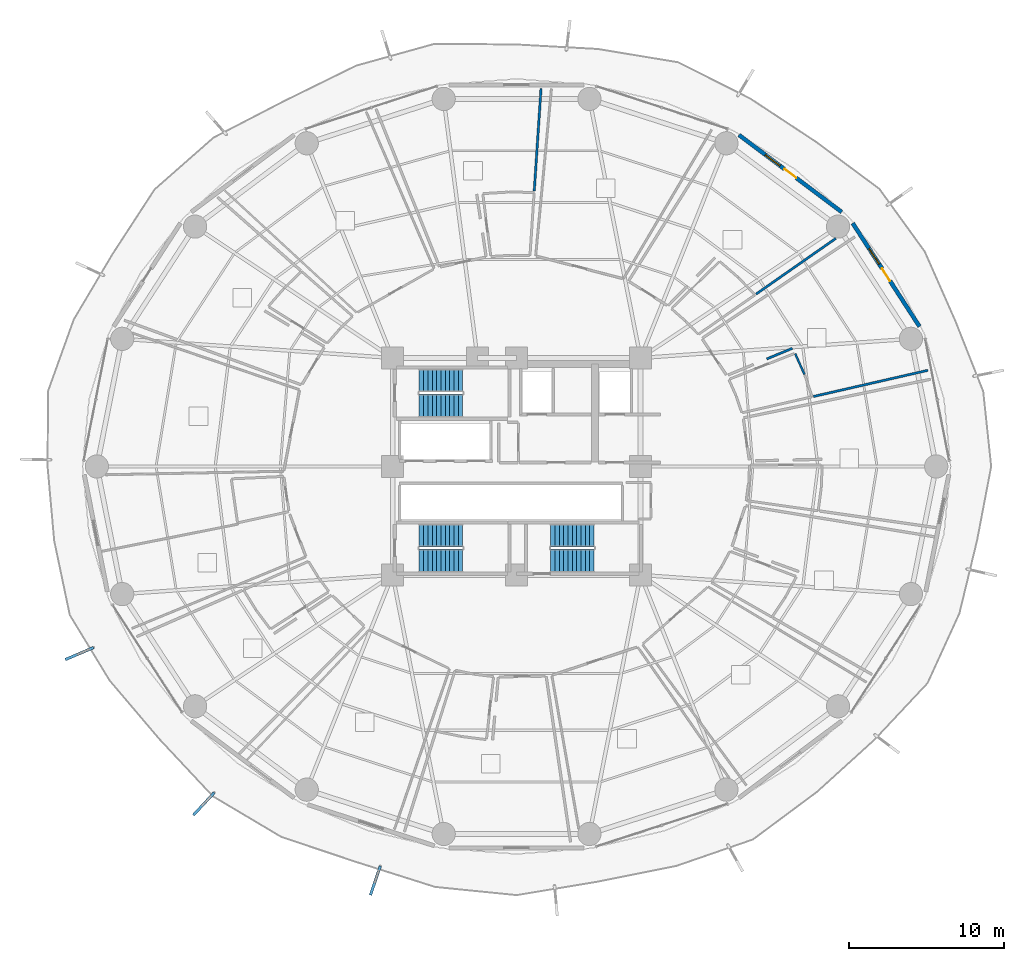
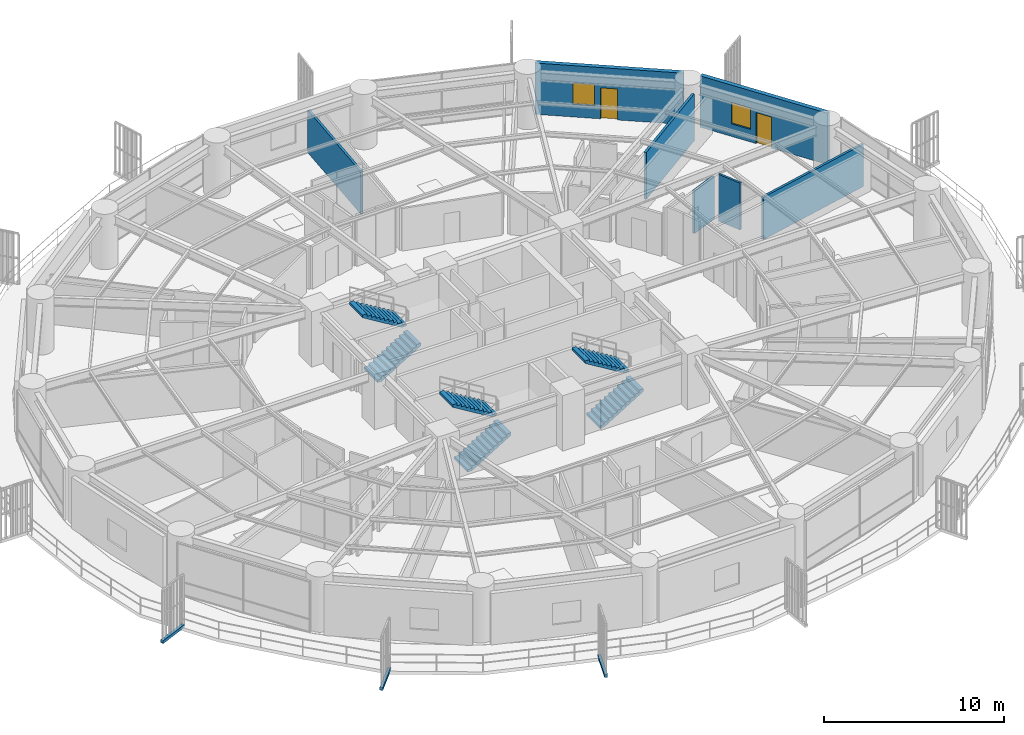
# One storey, part 28 of 34: 7 walls, 6 stair flights, 3 discrete accessories, 2 doors, 2 windows, 4 openings, 3 elements without a shape of their own.
"""IFC4 building model written with IfcOpenShell, lengths in metres."""

import ifcopenshell
import ifcopenshell.guid

model = None  # the IFC model being written
_history = None  # IfcOwnerHistory: only IFC2X3 demands one
_inside = {}  # id of a spatial element -> (the spatial element, [elements in it])
_under = {}  # id of a project, library or spatial element -> (it, [spatial elements below it])
_declared = {}  # id of a project -> (the project, [libraries it declares])
_typed = {}  # id of a type object -> (the type object, [elements of that type])
_made_of = {}  # id of a material, layer set ... -> (it, [elements and type objects made of it])


def new_model(schema):
    """Start an empty IFC model of exactly this schema.

    Asked for "IFC4X3", IfcOpenShell would pick the latest addendum, in which some entities
    have other attributes; the version numbers below select the first issue.
    IFC2X3 requires an IfcOwnerHistory on every rooted entity: one is made here for all.
    """
    global model, _history
    if schema == "IFC4X3":
        model = ifcopenshell.file(schema_version=(4, 3, 0, 0))
    else:
        model = ifcopenshell.file(schema=schema)
    _inside.clear()
    _under.clear()
    _declared.clear()
    _typed.clear()
    _made_of.clear()
    _history = None
    if model.schema == "IFC2X3":
        org = make("IfcOrganization", Name="unknown")
        user = make(
            "IfcPersonAndOrganization",
            ThePerson=make("IfcPerson", FamilyName="unknown"),
            TheOrganization=org,
        )
        app = make(
            "IfcApplication",
            ApplicationDeveloper=org,
            Version="unknown",
            ApplicationFullName="unknown",
            ApplicationIdentifier="unknown",
        )
        _history = make(
            "IfcOwnerHistory",
            OwningUser=user,
            OwningApplication=app,
            ChangeAction="ADDED",
            CreationDate=0,
        )
    return model


def make(cls, **values):
    """One entity of the class cls with the attributes given. An attribute that is None is left unset."""
    return model.create_entity(
        cls, **{name: value for name, value in values.items() if value is not None}
    )


def rooted(cls, **values):
    """An entity with a GlobalId (a new one), such as an element, a storey or a relation."""
    return make(cls, GlobalId=ifcopenshell.guid.new(), OwnerHistory=_history, **values)


def si_unit(unit_type, name, prefix=None):
    """IfcSIUnit, for example si_unit("LENGTHUNIT", "METRE", prefix="MILLI")."""
    return make("IfcSIUnit", UnitType=unit_type, Prefix=prefix, Name=name)


def assignment(units):
    """IfcUnitAssignment: the units of a project."""
    return None if units is None else make("IfcUnitAssignment", Units=units)


def point(xyz):
    """IfcCartesianPoint."""
    return None if xyz is None else make("IfcCartesianPoint", Coordinates=xyz)


def direction(xyz):
    """IfcDirection."""
    return None if xyz is None else make("IfcDirection", DirectionRatios=xyz)


def frame(location, z_axis=None, x_axis=None):
    """IfcAxis2Placement3D, a coordinate frame: its origin and axes. An axis left out is left unset."""
    return make(
        "IfcAxis2Placement3D",
        Location=point(location),
        Axis=direction(z_axis),
        RefDirection=direction(x_axis),
    )


def frame_2d(location, x_axis=None):
    """IfcAxis2Placement2D, a coordinate frame in the plane: its origin and x axis."""
    return make(
        "IfcAxis2Placement2D", Location=point(location), RefDirection=direction(x_axis)
    )


def origin():
    """The frame at (0, 0, 0) with its axes left unset."""
    return frame((0.0, 0.0, 0.0))


def origin_2d():
    """The frame at (0, 0) in the plane with its x axis left unset."""
    return frame_2d((0.0, 0.0))


def place(relative_to, where):
    """IfcLocalPlacement: puts the frame where relative to a parent placement (None: the world)."""
    return make(
        "IfcLocalPlacement", PlacementRelTo=relative_to, RelativePlacement=where
    )


def context(
    kind, dimensions, precision=None, world=None, true_north=None, identifier=None
):
    """IfcGeometricRepresentationContext, for example the 3D "Model" context."""
    return make(
        "IfcGeometricRepresentationContext",
        ContextIdentifier=identifier,
        ContextType=kind,
        CoordinateSpaceDimension=dimensions,
        Precision=precision,
        WorldCoordinateSystem=world,
        TrueNorth=true_north,
    )


def subcontext(parent, identifier, kind, view, scale=None):
    """IfcGeometricRepresentationSubContext, for example "Body" below "Model"."""
    return make(
        "IfcGeometricRepresentationSubContext",
        ContextIdentifier=identifier,
        ContextType=kind,
        ParentContext=parent,
        TargetScale=scale,
        TargetView=view,
    )


def project(units=None, contexts=None):
    """IfcProject with its units and contexts."""
    return rooted(
        "IfcProject",
        Name="project",
        RepresentationContexts=contexts,
        UnitsInContext=assignment(units),
    )


def spatial(cls, under=None, at=None, **own):
    """A site, building, storey or space (cls), placed at a placement, below another one or the project."""
    s = rooted(cls, ObjectPlacement=at, **own)
    if under is not None:
        _under.setdefault(under.id(), (under, []))[1].append(s)
    return s


def polyline(points):
    """IfcPolyline through the points."""
    return make("IfcPolyline", Points=[point(p) for p in points])


def profile(cls, at=None, kind="AREA", **sizes):
    """A parametric profile (cls). Its sizes go by their IFC names, for example OverallWidth=200.0."""
    return make(cls, ProfileType=kind, Position=at, **sizes)


def rectangle(**sizes):
    """IfcRectangleProfileDef."""
    return profile("IfcRectangleProfileDef", **sizes)


def outline(outer, holes=None, kind="AREA"):
    """IfcArbitraryClosedProfileDef: a profile drawn as a closed curve; with holes, ...WithVoids."""
    if holes is None:
        return make("IfcArbitraryClosedProfileDef", ProfileType=kind, OuterCurve=outer)
    return make(
        "IfcArbitraryProfileDefWithVoids",
        ProfileType=kind,
        OuterCurve=outer,
        InnerCurves=holes,
    )


def extrude(swept, where, along, depth):
    """IfcExtrudedAreaSolid: the profile swept, set in the frame where, extruded along a direction by depth."""
    return make(
        "IfcExtrudedAreaSolid",
        SweptArea=swept,
        Position=where,
        ExtrudedDirection=direction(along),
        Depth=depth,
    )


def shape(context_of_items, identifier, shape_type, items):
    """IfcShapeRepresentation: the items that make up one representation, for example the "Body"."""
    return make(
        "IfcShapeRepresentation",
        ContextOfItems=context_of_items,
        RepresentationIdentifier=identifier,
        RepresentationType=shape_type,
        Items=items,
    )


def source(mapping_origin, context_of_items, identifier, shape_type, items):
    """IfcRepresentationMap: a shape defined once, which mapped items show again and again."""
    return make(
        "IfcRepresentationMap",
        MappingOrigin=mapping_origin,
        MappedRepresentation=shape(context_of_items, identifier, shape_type, items),
    )


def transform(
    local_origin,
    x_axis=None,
    y_axis=None,
    z_axis=None,
    scale=None,
    scale2=None,
    scale3=None,
    uniform=True,
):
    """IfcCartesianTransformationOperator3D, or its non-uniform kind. x_axis, y_axis, z_axis: its Axis1, 2, 3."""
    if uniform:
        return make(
            "IfcCartesianTransformationOperator3D",
            Axis1=direction(x_axis),
            Axis2=direction(y_axis),
            LocalOrigin=point(local_origin),
            Scale=scale,
            Axis3=direction(z_axis),
        )
    return make(
        "IfcCartesianTransformationOperator3DnonUniform",
        Axis1=direction(x_axis),
        Axis2=direction(y_axis),
        LocalOrigin=point(local_origin),
        Scale=scale,
        Axis3=direction(z_axis),
        Scale2=scale2,
        Scale3=scale3,
    )


def mapped(mapping_source, mapping_target):
    """IfcMappedItem: shows the shape of a source again, moved by a transform."""
    return make(
        "IfcMappedItem", MappingSource=mapping_source, MappingTarget=mapping_target
    )


def material(Name=None, Category=None):
    """IfcMaterial."""
    return make("IfcMaterial", Name=Name, Category=Category)


def layer(
    of_material, thickness, ventilated=None, Name=None, Category=None, Priority=None
):
    """IfcMaterialLayer: one layer of a wall or slab, of a material (None: an air gap)."""
    return make(
        "IfcMaterialLayer",
        Material=of_material,
        LayerThickness=thickness,
        IsVentilated=ventilated,
        Name=Name,
        Category=Category,
        Priority=Priority,
    )


def layer_set(layers, Name=None):
    """IfcMaterialLayerSet."""
    return make("IfcMaterialLayerSet", MaterialLayers=layers, LayerSetName=Name)


def made_of(thing, what):
    """Note that an element or type object is made of a material, layer set ...; save() writes the relation."""
    if what is not None:
        _made_of.setdefault(what.id(), (what, []))[1].append(thing)
    return thing


def type_object(cls, material=None, **own):
    """A type object (cls), such as IfcWallType, which elements share."""
    return made_of(rooted(cls, **own), material)


def element(
    cls,
    number,
    at=None,
    inside=None,
    cuts=None,
    type_object=None,
    material=None,
    context=None,
    identifier="Body",
    shape_type=None,
    held_by="IfcProductDefinitionShape",
    body=None,
    shapes=None,
    **own,
):
    """One element of the class cls, such as IfcWall. Its Tag is "e" and its number.

    at: its placement. inside: the storey or other place that contains it. cuts: it is an
    opening in that element (IfcRelVoidsElement). A single representation is given by context,
    identifier, shape_type and body (its items); several are given by shapes. held_by: the class
    of the entity that holds the representations. save() writes the other relations.
    """
    e = rooted(cls, Tag="e%d" % number, ObjectPlacement=at, **own)
    if body is not None:
        shapes = [shape(context, identifier, shape_type, body)]
    if shapes is not None:
        e.Representation = make(held_by, Representations=shapes)
    if inside is not None:
        _inside.setdefault(inside.id(), (inside, []))[1].append(e)
    if cuts is not None:
        rooted(
            "IfcRelVoidsElement", RelatingBuildingElement=cuts, RelatedOpeningElement=e
        )
    if type_object is not None:
        _typed.setdefault(type_object.id(), (type_object, []))[1].append(e)
    return made_of(e, material)


def fill(opening, filler):
    """IfcRelFillsElement: the door or window that sits in an opening."""
    return rooted(
        "IfcRelFillsElement",
        RelatingOpeningElement=opening,
        RelatedBuildingElement=filler,
    )


def aggregate(whole, parts):
    """IfcRelAggregates: a whole, such as a stair, and the parts it consists of."""
    return rooted("IfcRelAggregates", RelatingObject=whole, RelatedObjects=parts)


def save(model, path):
    """Write the relations noted so far, then the file.

    IfcRelAggregates (storeys below a building ...), IfcRelContainedInSpatialStructure (elements
    in a storey), IfcRelDefinesByType, IfcRelAssociatesMaterial and IfcRelDeclares: one each for
    every whole, place, type object, material and project.
    """
    for whole, parts in _under.values():
        aggregate(whole, parts)
    for where, things in _inside.values():
        rooted(
            "IfcRelContainedInSpatialStructure",
            RelatedElements=things,
            RelatingStructure=where,
        )
    for kind, things in _typed.values():
        rooted("IfcRelDefinesByType", RelatedObjects=things, RelatingType=kind)
    for what, things in _made_of.values():
        rooted("IfcRelAssociatesMaterial", RelatedObjects=things, RelatingMaterial=what)
    for by, libraries in _declared.values():
        rooted("IfcRelDeclares", RelatingContext=by, RelatedDefinitions=libraries)
    model.write(path)


model = new_model("IFC4")

# Units and contexts
model_context = context("Model", 3, precision=1e-05, world=origin(), true_north=direction((0.0, 1.0)))
body_context = subcontext(model_context, "Body", "Model", "MODEL_VIEW")
ifc_project = project(units=[si_unit("LENGTHUNIT", "METRE"), si_unit("AREAUNIT", "SQUARE_METRE"), si_unit("VOLUMEUNIT", "CUBIC_METRE"), si_unit("PLANEANGLEUNIT", "RADIAN"), si_unit("MASSUNIT", "GRAM", prefix="KILO")], contexts=[model_context])

# Site, building, storey
site_placement = place(None, origin())
site = spatial("IfcSite", under=ifc_project, at=site_placement, CompositionType="ELEMENT")
building_placement = place(site_placement, origin())
building = spatial("IfcBuilding", under=site, at=building_placement, Name="Kelanora Arch Commons", CompositionType="ELEMENT")
storey_placement = place(building_placement, frame((0.0, 0.0, 33.75)))
storey = spatial("IfcBuildingStorey", under=building, at=storey_placement, Name="L08", CompositionType="ELEMENT", Elevation=33.75)

# Walls
ifc_material_1 = material(Name="Autoclaved aerated concrete blockwork with fire plaster", Category="masonry")
ifc_layer_1 = layer(ifc_material_1, 0.14990234375)
ifc_layer_set_1 = layer_set([ifc_layer_1], Name="Autoclaved aerated concrete blockwork with fire plaster")
wall_type_1 = type_object("IfcWallType", Name="W-COMP-150", PredefinedType="PARTITIONING", material=ifc_layer_set_1)
wall_1_placement = place(storey_placement, frame((100.5419921875, 64.203125, 0.0), z_axis=(0.0, 0.0, 1.0), x_axis=(-0.974849509839, -0.222864158552, 0.0)))
element("IfcWall", 1, at=wall_1_placement, inside=storey, type_object=wall_type_1, Name="Co-Living Studio L08-01 Enclosure Partition 5", PredefinedType="PARTITIONING", context=body_context, shape_type="SweptSolid", body=[
    extrude(rectangle(XDim=7.57958984375, YDim=0.14990234375, at=frame_2d((3.789794921875, 0.0))), origin(), (0.0, 0.0, 1.0), 2.875),
])
wall_2_placement = place(storey_placement, frame((91.800048828125, 65.625732421875, 0.0), z_axis=(0.0, 0.0, 1.0), x_axis=(-0.92347379334, -0.383661508383, 0.0)))
element("IfcWall", 2, at=wall_2_placement, inside=storey, type_object=wall_type_1, Name="Co-Living Studio L08-01 Enclosure Partition 7", PredefinedType="PARTITIONING", context=body_context, shape_type="SweptSolid", body=[
    extrude(rectangle(XDim=1.799560546875, YDim=0.14990234375, at=frame_2d((0.89990234375, 0.0))), origin(), (0.0, 0.0, 1.0), 2.875),
])
wall_3_placement = place(storey_placement, frame((94.601806640625, 72.716552734375, 0.0), z_axis=(0.0, 0.0, 1.0), x_axis=(-0.819914684215, -0.572485729611, 0.0)))
element("IfcWall", 3, at=wall_3_placement, inside=storey, type_object=wall_type_1, Name="Co-Living Studio L08-02 Enclosure Partition 5", PredefinedType="PARTITIONING", context=body_context, shape_type="SweptSolid", body=[
    extrude(rectangle(XDim=6.27734375, YDim=0.14990234375, at=frame_2d((3.138671875, 0.0))), origin(), (0.0, 0.0, 1.0), 3.175048828125),
])
wall_4_placement = place(storey_placement, frame((75.579345703125, 82.399169921875, 0.0), z_axis=(0.0, 0.0, 1.0), x_axis=(-0.065975596533, -0.997821236827, 0.0)))
element("IfcWall", 4, at=wall_4_placement, inside=storey, type_object=wall_type_1, Name="Co-Living Studio L08-04 Enclosure Partition 5", PredefinedType="PARTITIONING", context=body_context, shape_type="SweptSolid", body=[
    extrude(rectangle(XDim=6.649658203125, YDim=0.14990234375, at=frame_2d((3.32470703125, 0.0))), origin(), (0.0, 0.0, 1.0), 2.875),
])

# Wall, openings, door, window
ifc_material_2 = material(Name="Precast concrete C40/50 with terracotta rainscreen", Category="masonry")
ifc_layer_2 = layer(ifc_material_2, 0.260009765625)
ifc_layer_set_2 = layer_set([ifc_layer_2], Name="Precast concrete C40/50 with terracotta rainscreen")
wall_type_2 = type_object("IfcWallType", Name="W-EXT-TC", PredefinedType="SOLIDWALL", material=ifc_layer_set_2)
wall_5_placement = place(storey_placement, frame((99.999267578125, 67.033203125, 0.0), z_axis=(0.0, 0.0, 1.0), x_axis=(-0.543005114258, 0.839729388488, 0.0)))
wall_5 = element("IfcWall", 5, at=wall_5_placement, inside=storey, type_object=wall_type_2, Name="Terracotta Exterior Wall L08-B01", PredefinedType="SOLIDWALL", context=body_context, shape_type="SweptSolid", body=[
    extrude(rectangle(XDim=7.9375, YDim=0.260009765625, at=frame_2d((3.96875, 0.0))), origin(), (0.0, 0.0, 1.0), 3.47509765625),
])
opening_1_placement = place(wall_5_placement, frame((3.493896484375, 0.0, 0.0)))
opening_1 = element("IfcOpeningElement", 6, at=opening_1_placement, cuts=wall_5, Name="Opening DB-01", PredefinedType="OPENING", context=body_context, shape_type="SweptSolid", body=[
    extrude(rectangle(XDim=0.949951171875, YDim=2.10009765625, at=frame_2d((0.47509765625, 1.050048828125))), frame((0.0, 0.14013671875, 0.0), z_axis=(0.0, -1.0, 0.0), x_axis=(1.0, 0.0, 0.0)), (0.0, 0.0, 1.0), 0.280029296875),
])
opening_2_placement = place(wall_5_placement, frame((4.7939453125, 0.0, 0.85009765625)))
opening_2 = element("IfcOpeningElement", 7, at=opening_2_placement, cuts=wall_5, Name="Opening WN-02", PredefinedType="OPENING", context=body_context, shape_type="SweptSolid", body=[
    extrude(rectangle(XDim=1.199951171875, YDim=1.449951171875, at=frame_2d((0.60009765625, 0.72509765625))), frame((0.0, 0.14013671875, 0.0), z_axis=(0.0, -1.0, 0.0), x_axis=(1.0, 0.0, 0.0)), (0.0, 0.0, 1.0), 0.280029296875),
])
ifc_material_3 = material(Name="Terracotta-aluminium thermally broken glazed balcony door", Category="masonry")
door_type = type_object("IfcDoorType", Name="D-BAL-10", OperationType="NOTDEFINED", PredefinedType="DOOR", material=ifc_material_3)
door_1_placement = place(opening_1_placement, frame((0.949951171875, 0.0, 0.0), z_axis=(0.0, 0.0, 1.0), x_axis=(-1.0, 0.0, 0.0)))
door_1 = element("IfcDoor", 8, at=door_1_placement, inside=storey, type_object=door_type, Name="Wave Balcony Door L08-B01", OperationType="SINGLE_SWING_RIGHT", OverallHeight=2.10009765625, OverallWidth=0.949951171875, PredefinedType="DOOR", context=body_context, shape_type="SweptSolid", body=[
    extrude(rectangle(XDim=0.949951171875, YDim=2.10009765625, at=frame_2d((0.47509765625, 1.050048828125))), frame((0.0, 0.02490234375, 0.0), z_axis=(0.0, -1.0, 0.0), x_axis=(1.0, 0.0, 0.0)), (0.0, 0.0, 1.0), 0.050048828125),
])
fill(opening_1, door_1)
ifc_material_4 = material(Name="Terracotta-anodised aluminium frame with operable awning sash", Category="masonry")
window_type = type_object("IfcWindowType", Name="WIN-CL-12", PartitioningType="SINGLE_PANEL", PredefinedType="WINDOW", material=ifc_material_4)
window_1_placement = place(opening_2_placement, origin())
window_1 = element("IfcWindow", 9, at=window_1_placement, inside=storey, type_object=window_type, Name="Co-Living Operable Window L08-B01", OverallHeight=1.449951171875, OverallWidth=1.199951171875, PartitioningType="SINGLE_PANEL", PredefinedType="WINDOW", context=body_context, shape_type="SweptSolid", body=[
    extrude(rectangle(XDim=1.199951171875, YDim=1.449951171875, at=frame_2d((0.60009765625, 0.72509765625))), frame((0.0, 0.030029296875, 0.0), z_axis=(0.0, -1.0, 0.0), x_axis=(1.0, 0.0, 0.0)), (0.0, 0.0, 1.0), 0.06005859375),
])
fill(opening_2, window_1)

wall_6_placement = place(storey_placement, frame((94.98388671875, 74.418212890625, 0.0), z_axis=(0.0, 0.0, 1.0), x_axis=(-0.80030733173, 0.599590005569, 0.0)))
wall_6 = element("IfcWall", 10, at=wall_6_placement, inside=storey, type_object=wall_type_2, Name="Terracotta Exterior Wall L08-B02", PredefinedType="SOLIDWALL", context=body_context, shape_type="SweptSolid", body=[
    extrude(rectangle(XDim=8.29052734375, YDim=0.260009765625, at=frame_2d((4.145263671875, 0.0))), origin(), (0.0, 0.0, 1.0), 3.47509765625),
])
opening_3_placement = place(wall_6_placement, frame((3.669921875, 0.0, 0.0)))
opening_3 = element("IfcOpeningElement", 11, at=opening_3_placement, cuts=wall_6, Name="Opening DB-01", PredefinedType="OPENING", context=body_context, shape_type="SweptSolid", body=[
    extrude(rectangle(XDim=0.949951171875, YDim=2.10009765625, at=frame_2d((0.47509765625, 1.050048828125))), frame((0.0, 0.14013671875, 0.0), z_axis=(0.0, -1.0, 0.0), x_axis=(1.0, 0.0, 0.0)), (0.0, 0.0, 1.0), 0.280029296875),
])
opening_4_placement = place(wall_6_placement, frame((4.969970703125, 0.0, 0.85009765625)))
opening_4 = element("IfcOpeningElement", 12, at=opening_4_placement, cuts=wall_6, Name="Opening WN-02", PredefinedType="OPENING", context=body_context, shape_type="SweptSolid", body=[
    extrude(rectangle(XDim=1.199951171875, YDim=1.449951171875, at=frame_2d((0.60009765625, 0.72509765625))), frame((0.0, 0.14013671875, 0.0), z_axis=(0.0, -1.0, 0.0), x_axis=(1.0, 0.0, 0.0)), (0.0, 0.0, 1.0), 0.280029296875),
])
door_2_placement = place(opening_3_placement, frame((0.949951171875, 0.0, 0.0), z_axis=(0.0, 0.0, 1.0), x_axis=(-1.0, 0.0, 0.0)))
door_2 = element("IfcDoor", 13, at=door_2_placement, inside=storey, type_object=door_type, Name="Wave Balcony Door L08-B02", OperationType="SINGLE_SWING_LEFT", OverallHeight=2.10009765625, OverallWidth=0.949951171875, PredefinedType="DOOR", context=body_context, shape_type="SweptSolid", body=[
    extrude(rectangle(XDim=0.949951171875, YDim=2.10009765625, at=frame_2d((0.47509765625, 1.050048828125))), frame((0.0, 0.02490234375, 0.0), z_axis=(0.0, -1.0, 0.0), x_axis=(1.0, 0.0, 0.0)), (0.0, 0.0, 1.0), 0.050048828125),
])
fill(opening_3, door_2)
window_2_placement = place(opening_4_placement, origin())
window_2 = element("IfcWindow", 14, at=window_2_placement, inside=storey, type_object=window_type, Name="Co-Living Operable Window L08-B02", OverallHeight=1.449951171875, OverallWidth=1.199951171875, PartitioningType="SINGLE_PANEL", PredefinedType="WINDOW", context=body_context, shape_type="SweptSolid", body=[
    extrude(rectangle(XDim=1.199951171875, YDim=1.449951171875, at=frame_2d((0.60009765625, 0.72509765625))), frame((0.0, 0.030029296875, 0.0), z_axis=(0.0, -1.0, 0.0), x_axis=(1.0, 0.0, 0.0)), (0.0, 0.0, 1.0), 0.06005859375),
])
fill(opening_4, window_2)

# Wall
ifc_material_5 = material(Name="Moisture-resistant fire-rated cement-board plumbing wall")
ifc_layer_3 = layer(ifc_material_5, 0.1298828125)
ifc_layer_set_3 = layer_set([ifc_layer_3], Name="Moisture-resistant fire-rated cement-board plumbing wall")
wall_type_3 = type_object("IfcWallType", Name="W-WET-120", PredefinedType="PLUMBINGWALL", material=ifc_layer_set_3)
wall_7_placement = place(storey_placement, frame((91.976318359375, 65.28369140625, 0.0), z_axis=(0.0, 0.0, 1.0), x_axis=(0.408471301848, -0.91277116276, 0.0)))
element("IfcWall", 15, at=wall_7_placement, inside=storey, type_object=wall_type_3, Name="En-Suite Shower WC L08-01 Enclosure Partition 4", PredefinedType="PLUMBINGWALL", context=body_context, shape_type="SweptSolid", body=[
    extrude(rectangle(XDim=1.47509765625, YDim=0.1298828125, at=frame_2d((0.737548828125, 0.0))), origin(), (0.0, 0.0, 1.0), 3.175048828125),
])

# Stair, stair flights
ifc_material_6 = material(Name="Concrete C40/50", Category="concrete")
stair_type = type_object("IfcStairType", Name="STR-DL-375", PredefinedType="HALF_TURN_STAIR", material=ifc_material_6)
stair_1_placement = place(storey_placement, origin())
stair_1 = element("IfcStair", 16, at=stair_1_placement, inside=storey, type_object=stair_type, Name="L08 ST-T1", PredefinedType="HALF_TURN_STAIR")
stair_flight_type = type_object("IfcStairFlightType", Name="FLT-DL-375", PredefinedType="STRAIGHT", material=ifc_material_6)
stair_flight_1_placement = place(storey_placement, frame((67.719970703125, 61.919921875, 0.0), z_axis=(0.0, 0.0, 1.0), x_axis=(1.0, 0.0, 0.0)))
stair_flight_1 = element("IfcStairFlight", 17, at=stair_flight_1_placement, type_object=stair_flight_type, Name="ST-T1 flight 1", NumberOfRisers=11, NumberOfTreads=10, PredefinedType="STRAIGHT", RiserHeight=0.170454545, TreadLength=0.28, context=body_context, shape_type="SweptSolid", body=[
    extrude(outline(polyline([(0.0, 0.0), (0.0, 0.17041015625), (0.280029296875, 0.17041015625), (0.280029296875, 0.3408203125), (0.56005859375, 0.3408203125), (0.56005859375, 0.511474609375), (0.840087890625, 0.511474609375), (0.840087890625, 0.681884765625), (1.1201171875, 0.681884765625), (1.1201171875, 0.852294921875), (1.39990234375, 0.852294921875), (1.39990234375, 1.022705078125), (1.679931640625, 1.022705078125), (1.679931640625, 1.193115234375), (1.9599609375, 1.193115234375), (1.9599609375, 1.363525390625), (2.239990234375, 1.363525390625), (2.239990234375, 1.5341796875), (2.52001953125, 1.5341796875), (2.52001953125, 1.70458984375), (2.800048828125, 1.70458984375), (2.800048828125, 1.875), (2.800048828125, 1.529052734375), (0.288330078125, 0.0), (0.0, 0.0)])), frame((0.0, 0.739990234375, 0.0), z_axis=(0.0, -1.0, 0.0), x_axis=(1.0, 0.0, 0.0)), (0.0, 0.0, 1.0), 1.47998046875),
])
stair_flight_2_placement = place(storey_placement, frame((70.52001953125, 63.550048828125, 1.875), z_axis=(0.0, 0.0, 1.0), x_axis=(-1.0, 0.0, 0.0)))
stair_flight_2 = element("IfcStairFlight", 18, at=stair_flight_2_placement, type_object=stair_flight_type, Name="ST-T1 flight 2", NumberOfRisers=11, NumberOfTreads=10, PredefinedType="STRAIGHT", RiserHeight=0.170454545, TreadLength=0.28, context=body_context, shape_type="SweptSolid", body=[
    extrude(outline(polyline([(0.0, 0.0), (0.0, 0.17041015625), (0.280029296875, 0.17041015625), (0.280029296875, 0.3408203125), (0.56005859375, 0.3408203125), (0.56005859375, 0.511474609375), (0.840087890625, 0.511474609375), (0.840087890625, 0.681884765625), (1.1201171875, 0.681884765625), (1.1201171875, 0.852294921875), (1.39990234375, 0.852294921875), (1.39990234375, 1.022705078125), (1.679931640625, 1.022705078125), (1.679931640625, 1.193115234375), (1.9599609375, 1.193115234375), (1.9599609375, 1.363525390625), (2.239990234375, 1.363525390625), (2.239990234375, 1.5341796875), (2.52001953125, 1.5341796875), (2.52001953125, 1.70458984375), (2.800048828125, 1.70458984375), (2.800048828125, 1.875), (2.800048828125, 1.529052734375), (0.288330078125, 0.0), (0.0, 0.0)])), frame((0.0, 0.739990234375, 0.0), z_axis=(0.0, -1.0, 0.0), x_axis=(1.0, 0.0, 0.0)), (0.0, 0.0, 1.0), 1.47998046875),
])
aggregate(stair_1, [stair_flight_1, stair_flight_2])

stair_2_placement = place(storey_placement, origin())
stair_2 = element("IfcStair", 19, at=stair_2_placement, inside=storey, type_object=stair_type, Name="L08 ST-T2", PredefinedType="HALF_TURN_STAIR")
stair_flight_3_placement = place(storey_placement, frame((76.199951171875, 51.919921875, 0.0), z_axis=(0.0, 0.0, 1.0), x_axis=(1.0, 0.0, 0.0)))
stair_flight_3 = element("IfcStairFlight", 20, at=stair_flight_3_placement, type_object=stair_flight_type, Name="ST-T2 flight 1", NumberOfRisers=11, NumberOfTreads=10, PredefinedType="STRAIGHT", RiserHeight=0.170454545, TreadLength=0.28, context=body_context, shape_type="SweptSolid", body=[
    extrude(outline(polyline([(0.0, 0.0), (0.0, 0.17041015625), (0.280029296875, 0.17041015625), (0.280029296875, 0.3408203125), (0.56005859375, 0.3408203125), (0.56005859375, 0.511474609375), (0.840087890625, 0.511474609375), (0.840087890625, 0.681884765625), (1.1201171875, 0.681884765625), (1.1201171875, 0.852294921875), (1.39990234375, 0.852294921875), (1.39990234375, 1.022705078125), (1.679931640625, 1.022705078125), (1.679931640625, 1.193115234375), (1.9599609375, 1.193115234375), (1.9599609375, 1.363525390625), (2.239990234375, 1.363525390625), (2.239990234375, 1.5341796875), (2.52001953125, 1.5341796875), (2.52001953125, 1.70458984375), (2.800048828125, 1.70458984375), (2.800048828125, 1.875), (2.800048828125, 1.529052734375), (0.288330078125, 0.0), (0.0, 0.0)])), frame((0.0, 0.739990234375, 0.0), z_axis=(0.0, -1.0, 0.0), x_axis=(1.0, 0.0, 0.0)), (0.0, 0.0, 1.0), 1.47998046875),
])
stair_flight_4_placement = place(storey_placement, frame((79.0, 53.550048828125, 1.875), z_axis=(0.0, 0.0, 1.0), x_axis=(-1.0, 0.0, 0.0)))
stair_flight_4 = element("IfcStairFlight", 21, at=stair_flight_4_placement, type_object=stair_flight_type, Name="ST-T2 flight 2", NumberOfRisers=11, NumberOfTreads=10, PredefinedType="STRAIGHT", RiserHeight=0.170454545, TreadLength=0.28, context=body_context, shape_type="SweptSolid", body=[
    extrude(outline(polyline([(0.0, 0.0), (0.0, 0.17041015625), (0.280029296875, 0.17041015625), (0.280029296875, 0.3408203125), (0.56005859375, 0.3408203125), (0.56005859375, 0.511474609375), (0.840087890625, 0.511474609375), (0.840087890625, 0.681884765625), (1.1201171875, 0.681884765625), (1.1201171875, 0.852294921875), (1.39990234375, 0.852294921875), (1.39990234375, 1.022705078125), (1.679931640625, 1.022705078125), (1.679931640625, 1.193115234375), (1.9599609375, 1.193115234375), (1.9599609375, 1.363525390625), (2.239990234375, 1.363525390625), (2.239990234375, 1.5341796875), (2.52001953125, 1.5341796875), (2.52001953125, 1.70458984375), (2.800048828125, 1.70458984375), (2.800048828125, 1.875), (2.800048828125, 1.529052734375), (0.288330078125, 0.0), (0.0, 0.0)])), frame((0.0, 0.739990234375, 0.0), z_axis=(0.0, -1.0, 0.0), x_axis=(1.0, 0.0, 0.0)), (0.0, 0.0, 1.0), 1.47998046875),
])
aggregate(stair_2, [stair_flight_3, stair_flight_4])

stair_3_placement = place(storey_placement, origin())
stair_3 = element("IfcStair", 22, at=stair_3_placement, inside=storey, type_object=stair_type, Name="L08 ST-T3", PredefinedType="HALF_TURN_STAIR")
stair_flight_5_placement = place(storey_placement, frame((67.719970703125, 51.919921875, 0.0), z_axis=(0.0, 0.0, 1.0), x_axis=(1.0, 0.0, 0.0)))
stair_flight_5 = element("IfcStairFlight", 23, at=stair_flight_5_placement, type_object=stair_flight_type, Name="ST-T3 flight 1", NumberOfRisers=11, NumberOfTreads=10, PredefinedType="STRAIGHT", RiserHeight=0.170454545, TreadLength=0.28, context=body_context, shape_type="SweptSolid", body=[
    extrude(outline(polyline([(0.0, 0.0), (0.0, 0.17041015625), (0.280029296875, 0.17041015625), (0.280029296875, 0.3408203125), (0.56005859375, 0.3408203125), (0.56005859375, 0.511474609375), (0.840087890625, 0.511474609375), (0.840087890625, 0.681884765625), (1.1201171875, 0.681884765625), (1.1201171875, 0.852294921875), (1.39990234375, 0.852294921875), (1.39990234375, 1.022705078125), (1.679931640625, 1.022705078125), (1.679931640625, 1.193115234375), (1.9599609375, 1.193115234375), (1.9599609375, 1.363525390625), (2.239990234375, 1.363525390625), (2.239990234375, 1.5341796875), (2.52001953125, 1.5341796875), (2.52001953125, 1.70458984375), (2.800048828125, 1.70458984375), (2.800048828125, 1.875), (2.800048828125, 1.529052734375), (0.288330078125, 0.0), (0.0, 0.0)])), frame((0.0, 0.739990234375, 0.0), z_axis=(0.0, -1.0, 0.0), x_axis=(1.0, 0.0, 0.0)), (0.0, 0.0, 1.0), 1.47998046875),
])
stair_flight_6_placement = place(storey_placement, frame((70.52001953125, 53.550048828125, 1.875), z_axis=(0.0, 0.0, 1.0), x_axis=(-1.0, 0.0, 0.0)))
stair_flight_6 = element("IfcStairFlight", 24, at=stair_flight_6_placement, type_object=stair_flight_type, Name="ST-T3 flight 2", NumberOfRisers=11, NumberOfTreads=10, PredefinedType="STRAIGHT", RiserHeight=0.170454545, TreadLength=0.28, context=body_context, shape_type="SweptSolid", body=[
    extrude(outline(polyline([(0.0, 0.0), (0.0, 0.17041015625), (0.280029296875, 0.17041015625), (0.280029296875, 0.3408203125), (0.56005859375, 0.3408203125), (0.56005859375, 0.511474609375), (0.840087890625, 0.511474609375), (0.840087890625, 0.681884765625), (1.1201171875, 0.681884765625), (1.1201171875, 0.852294921875), (1.39990234375, 0.852294921875), (1.39990234375, 1.022705078125), (1.679931640625, 1.022705078125), (1.679931640625, 1.193115234375), (1.9599609375, 1.193115234375), (1.9599609375, 1.363525390625), (2.239990234375, 1.363525390625), (2.239990234375, 1.5341796875), (2.52001953125, 1.5341796875), (2.52001953125, 1.70458984375), (2.800048828125, 1.70458984375), (2.800048828125, 1.875), (2.800048828125, 1.529052734375), (0.288330078125, 0.0), (0.0, 0.0)])), frame((0.0, 0.739990234375, 0.0), z_axis=(0.0, -1.0, 0.0), x_axis=(1.0, 0.0, 0.0)), (0.0, 0.0, 1.0), 1.47998046875),
])
aggregate(stair_3, [stair_flight_5, stair_flight_6])

# Discrete accessories
ifc_material_7 = material(Name="Stainless steel 316 marine fin bracket", Category="steel")
discrete_accessory_type = type_object("IfcDiscreteAccessoryType", Name="ACC-FIN-BRK", PredefinedType="BRACKET", material=ifc_material_7)
shared_shape = source(origin(), body_context, "Body", "SweptSolid", [
    extrude(rectangle(XDim=1.9775390625, YDim=0.179931640625, at=origin_2d()), origin(), (0.0, 0.0, 1.0), 0.199951171875),
])
for number, where, z_axis, x_axis, name in (
    (25, (45.794189453125, 45.926025390625, -0.16015625), (0.0, 0.0, 1.0), (-0.919341480754, -0.393460597474, 0.0), "Sweeping Fin Cantilever Spine Bracket L08-08"),
    (26, (53.818115234375, 36.225341796875, -0.16015625), (0.0, 0.0, 1.0), (-0.679825391166, -0.733374009306, 0.0), "Sweeping Fin Cantilever Spine Bracket L08-09"),
    (27, (64.890380859375, 31.280517578125, -0.16015625), (0.0, 0.0, 1.0), (-0.322761315426, -0.946480392435, 0.0), "Sweeping Fin Cantilever Spine Bracket L08-10"),
):
    element("IfcDiscreteAccessory", number, at=place(storey_placement, frame(where, z_axis=z_axis, x_axis=x_axis)), inside=storey, type_object=discrete_accessory_type, Name=name, PredefinedType="BRACKET", context=body_context, shape_type="MappedRepresentation", body=[
        mapped(shared_shape, transform((0.0, 0.0, 0.0), scale=1.0)),
    ])

save(model, "model.ifc")
